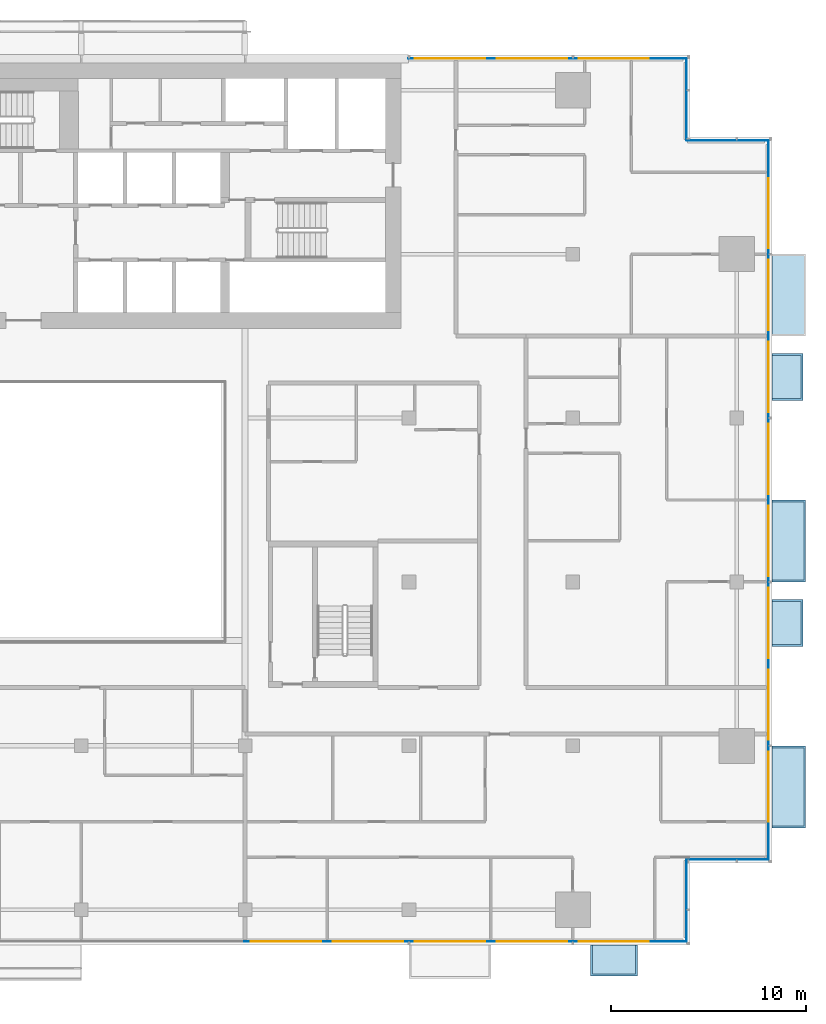
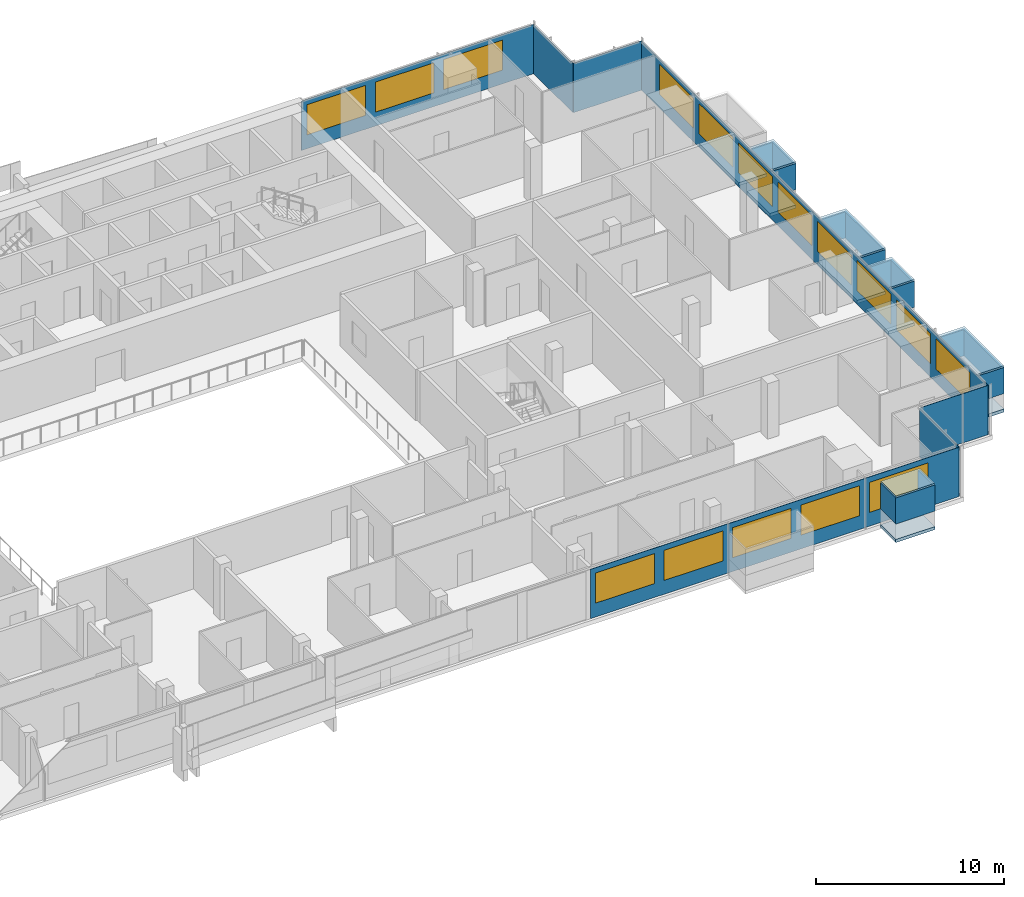
# One storey, part 16 of 28: 17 plates, 16 windows, 6 slabs, 16 openings, 7 elements without a shape of their own.
"""IFC4 building model written with IfcOpenShell, lengths in metres."""

from ifc_helpers import new_model, si_unit, direction, frame, frame_2d, origin, place, context, subcontext, project, spatial, polyline, rectangle, outline, extrude, material, layer, layer_set, type_object, element, fill, aggregate, save


model = new_model("IFC4")

# Units and contexts
model_context = context("Model", 3, precision=1e-05, world=origin(), true_north=direction((0.0, 1.0)))
body_context = subcontext(model_context, "Body", "Model", "MODEL_VIEW")
ifc_project = project(units=[si_unit("LENGTHUNIT", "METRE"), si_unit("AREAUNIT", "SQUARE_METRE"), si_unit("VOLUMEUNIT", "CUBIC_METRE"), si_unit("PLANEANGLEUNIT", "RADIAN"), si_unit("MASSUNIT", "GRAM", prefix="KILO")], contexts=[model_context])

# Site, building, storey
site_placement = place(None, origin())
site = spatial("IfcSite", under=ifc_project, at=site_placement, CompositionType="ELEMENT")
building_placement = place(site_placement, origin())
building = spatial("IfcBuilding", under=site, at=building_placement, Name="Saffron Gate Tower", CompositionType="ELEMENT")
storey_placement = place(building_placement, frame((0.0, 0.0, 151.050048828125)))
storey = spatial("IfcBuildingStorey", under=building, at=storey_placement, Name="L36", CompositionType="ELEMENT", Elevation=151.050048828125)

# Curtain wall, plate, openings, windows
ifc_material_1 = material(Name="Aluminium, bronze anodised", Category="aluminium")
curtain_wall_type_1 = type_object("IfcCurtainWallType", Name="CWS1 curtain wall front facade", PredefinedType="NOTDEFINED", material=ifc_material_1)
curtain_wall_1_placement = place(storey_placement, origin())
curtain_wall_1 = element("IfcCurtainWall", 1, at=curtain_wall_1_placement, inside=storey, type_object=curtain_wall_type_1, Name="CWS1 run 1", PredefinedType="NOTDEFINED")
ifc_material_2 = material(Name="Fritted bronze-tinted laminated glass", Category="glass")
ifc_layer_1 = layer(ifc_material_2, 0.028076171875)
ifc_layer_set_1 = layer_set([ifc_layer_1], Name="CWS1 fixed glass")
plate_type_1 = type_object("IfcPlateType", Name="CWS1 fixed glass", PredefinedType="CURTAIN_PANEL", material=ifc_layer_set_1)
plate_1_placement = place(storey_placement, frame((100.169921875, 30.174072265625, 0.0), z_axis=(0.0, 0.0, 1.0), x_axis=(1.0, 0.0, 0.0)))
plate_1 = element("IfcPlate", 2, at=plate_1_placement, type_object=plate_type_1, Name="CWS1 glass panel", PredefinedType="CURTAIN_PANEL", context=body_context, shape_type="SweptSolid", body=[
    extrude(rectangle(XDim=22.64208984375, YDim=0.028076171875, at=frame_2d((11.321044921875, 0.0))), origin(), (0.0, 0.0, 1.0), 3.199951171875),
])
opening_1_placement = place(plate_1_placement, frame((0.330078125, 0.0, 0.89990234375)))
opening_1 = element("IfcOpeningElement", 3, at=opening_1_placement, cuts=plate_1, Name="Opening W1", PredefinedType="OPENING", context=body_context, shape_type="SweptSolid", body=[
    extrude(rectangle(XDim=3.60009765625, YDim=1.949951171875, at=frame_2d((1.800048828125, 0.97509765625))), frame((0.0, 0.02392578125, 0.0), z_axis=(0.0, -1.0, 0.0), x_axis=(1.0, 0.0, 0.0)), (0.0, 0.0, 1.0), 0.048095703125),
])
opening_2_placement = place(plate_1_placement, frame((4.530029296875, 0.0, 0.89990234375)))
opening_2 = element("IfcOpeningElement", 4, at=opening_2_placement, cuts=plate_1, Name="Opening W1", PredefinedType="OPENING", context=body_context, shape_type="SweptSolid", body=[
    extrude(rectangle(XDim=3.60009765625, YDim=1.949951171875, at=frame_2d((1.800048828125, 0.97509765625))), frame((0.0, 0.02392578125, 0.0), z_axis=(0.0, -1.0, 0.0), x_axis=(1.0, 0.0, 0.0)), (0.0, 0.0, 1.0), 0.048095703125),
])
opening_3_placement = place(plate_1_placement, frame((8.72998046875, 0.0, 0.89990234375)))
opening_3 = element("IfcOpeningElement", 5, at=opening_3_placement, cuts=plate_1, Name="Opening W1", PredefinedType="OPENING", context=body_context, shape_type="SweptSolid", body=[
    extrude(rectangle(XDim=3.60009765625, YDim=1.949951171875, at=frame_2d((1.800048828125, 0.97509765625))), frame((0.0, 0.02392578125, 0.0), z_axis=(0.0, -1.0, 0.0), x_axis=(1.0, 0.0, 0.0)), (0.0, 0.0, 1.0), 0.048095703125),
])
opening_4_placement = place(plate_1_placement, frame((12.929931640625, 0.0, 0.89990234375)))
opening_4 = element("IfcOpeningElement", 6, at=opening_4_placement, cuts=plate_1, Name="Opening W1", PredefinedType="OPENING", context=body_context, shape_type="SweptSolid", body=[
    extrude(rectangle(XDim=3.60009765625, YDim=1.949951171875, at=frame_2d((1.800048828125, 0.97509765625))), frame((0.0, 0.02392578125, 0.0), z_axis=(0.0, -1.0, 0.0), x_axis=(1.0, 0.0, 0.0)), (0.0, 0.0, 1.0), 0.048095703125),
])
opening_5_placement = place(plate_1_placement, frame((17.1298828125, 0.0, 0.89990234375)))
opening_5 = element("IfcOpeningElement", 7, at=opening_5_placement, cuts=plate_1, Name="Opening W1", PredefinedType="OPENING", context=body_context, shape_type="SweptSolid", body=[
    extrude(rectangle(XDim=3.60009765625, YDim=1.949951171875, at=frame_2d((1.800048828125, 0.97509765625))), frame((0.0, 0.02392578125, 0.0), z_axis=(0.0, -1.0, 0.0), x_axis=(1.0, 0.0, 0.0)), (0.0, 0.0, 1.0), 0.048095703125),
])
ifc_material_3 = material(Name="Fritted bronze-tinted laminated glass in bronze frame", Category="glass")
ifc_layer_2 = layer(ifc_material_3, 0.06005859375)
ifc_layer_set_2 = layer_set([ifc_layer_2], Name="W1 operable panel 3600x1950")
window_type = type_object("IfcWindowType", Name="W1 operable panel 3600x1950", PartitioningType="DOUBLE_PANEL_HORIZONTAL", PredefinedType="WINDOW", material=ifc_layer_set_2)
window_1_placement = place(opening_1_placement, origin())
window_1 = element("IfcWindow", 8, at=window_1_placement, type_object=window_type, Name="W1 operable panel", OverallHeight=1.949951171875, OverallWidth=3.60009765625, PartitioningType="SINGLE_PANEL", PredefinedType="WINDOW", context=body_context, shape_type="SweptSolid", body=[
    extrude(rectangle(XDim=3.60009765625, YDim=1.949951171875, at=frame_2d((1.800048828125, 0.97509765625))), frame((0.0, 0.013671875, 0.0), z_axis=(0.0, -1.0, 0.0), x_axis=(1.0, 0.0, 0.0)), (0.0, 0.0, 1.0), 0.027587890625),
])
fill(opening_1, window_1)
window_2_placement = place(opening_2_placement, origin())
window_2 = element("IfcWindow", 9, at=window_2_placement, type_object=window_type, Name="W1 operable panel", OverallHeight=1.949951171875, OverallWidth=3.60009765625, PartitioningType="SINGLE_PANEL", PredefinedType="WINDOW", context=body_context, shape_type="SweptSolid", body=[
    extrude(rectangle(XDim=3.60009765625, YDim=1.949951171875, at=frame_2d((1.800048828125, 0.97509765625))), frame((0.0, 0.013671875, 0.0), z_axis=(0.0, -1.0, 0.0), x_axis=(1.0, 0.0, 0.0)), (0.0, 0.0, 1.0), 0.027587890625),
])
fill(opening_2, window_2)
window_3_placement = place(opening_3_placement, origin())
window_3 = element("IfcWindow", 10, at=window_3_placement, type_object=window_type, Name="W1 operable panel", OverallHeight=1.949951171875, OverallWidth=3.60009765625, PartitioningType="SINGLE_PANEL", PredefinedType="WINDOW", context=body_context, shape_type="SweptSolid", body=[
    extrude(rectangle(XDim=3.60009765625, YDim=1.949951171875, at=frame_2d((1.800048828125, 0.97509765625))), frame((0.0, 0.013671875, 0.0), z_axis=(0.0, -1.0, 0.0), x_axis=(1.0, 0.0, 0.0)), (0.0, 0.0, 1.0), 0.027587890625),
])
fill(opening_3, window_3)
window_4_placement = place(opening_4_placement, origin())
window_4 = element("IfcWindow", 11, at=window_4_placement, type_object=window_type, Name="W1 operable panel", OverallHeight=1.949951171875, OverallWidth=3.60009765625, PartitioningType="SINGLE_PANEL", PredefinedType="WINDOW", context=body_context, shape_type="SweptSolid", body=[
    extrude(rectangle(XDim=3.60009765625, YDim=1.949951171875, at=frame_2d((1.800048828125, 0.97509765625))), frame((0.0, 0.013671875, 0.0), z_axis=(0.0, -1.0, 0.0), x_axis=(1.0, 0.0, 0.0)), (0.0, 0.0, 1.0), 0.027587890625),
])
fill(opening_4, window_4)
window_5_placement = place(opening_5_placement, origin())
window_5 = element("IfcWindow", 12, at=window_5_placement, type_object=window_type, Name="W1 operable panel", OverallHeight=1.949951171875, OverallWidth=3.60009765625, PartitioningType="SINGLE_PANEL", PredefinedType="WINDOW", context=body_context, shape_type="SweptSolid", body=[
    extrude(rectangle(XDim=3.60009765625, YDim=1.949951171875, at=frame_2d((1.800048828125, 0.97509765625))), frame((0.0, 0.013671875, 0.0), z_axis=(0.0, -1.0, 0.0), x_axis=(1.0, 0.0, 0.0)), (0.0, 0.0, 1.0), 0.027587890625),
])
fill(opening_5, window_5)
aggregate(curtain_wall_1, [plate_1, window_1, window_2, window_3, window_4, window_5])

curtain_wall_type_2 = type_object("IfcCurtainWallType", Name="CWS2 curtain wall side facades", PredefinedType="NOTDEFINED", material=ifc_material_1)
curtain_wall_2_placement = place(storey_placement, origin())
curtain_wall_2 = element("IfcCurtainWall", 13, at=curtain_wall_2_placement, inside=storey, type_object=curtain_wall_type_2, Name="CWS2 run 4", PredefinedType="NOTDEFINED")
ifc_layer_3 = layer(ifc_material_2, 0.028076171875)
ifc_layer_set_3 = layer_set([ifc_layer_3], Name="CWS2 fixed glass")
plate_type_2 = type_object("IfcPlateType", Name="CWS2 fixed glass", PredefinedType="CURTAIN_PANEL", material=ifc_layer_set_3)
plate_2_placement = place(storey_placement, frame((127.02587890625, 34.387939453125, 0.0), z_axis=(0.0, 0.0, 1.0), x_axis=(0.0, 1.0, 0.0)))
plate_2 = element("IfcPlate", 14, at=plate_2_placement, type_object=plate_type_2, Name="CWS2 glass panel", PredefinedType="CURTAIN_PANEL", context=body_context, shape_type="SweptSolid", body=[
    extrude(rectangle(XDim=36.823974609375, YDim=0.028076171875, at=frame_2d((18.412109375, 0.0))), origin(), (0.0, 0.0, 1.0), 3.199951171875),
])
opening_6_placement = place(plate_2_placement, frame((1.912109375, 0.0, 0.89990234375)))
opening_6 = element("IfcOpeningElement", 15, at=opening_6_placement, cuts=plate_2, Name="Opening W1", PredefinedType="OPENING", context=body_context, shape_type="SweptSolid", body=[
    extrude(rectangle(XDim=3.60009765625, YDim=1.949951171875, at=frame_2d((1.800048828125, 0.97509765625))), frame((0.0, 0.02392578125, 0.0), z_axis=(0.0, -1.0, 0.0), x_axis=(1.0, 0.0, 0.0)), (0.0, 0.0, 1.0), 0.048095703125),
])
opening_7_placement = place(plate_2_placement, frame((6.112060546875, 0.0, 0.89990234375)))
opening_7 = element("IfcOpeningElement", 16, at=opening_7_placement, cuts=plate_2, Name="Opening W1", PredefinedType="OPENING", context=body_context, shape_type="SweptSolid", body=[
    extrude(rectangle(XDim=3.60009765625, YDim=1.949951171875, at=frame_2d((1.800048828125, 0.97509765625))), frame((0.0, 0.02392578125, 0.0), z_axis=(0.0, -1.0, 0.0), x_axis=(1.0, 0.0, 0.0)), (0.0, 0.0, 1.0), 0.048095703125),
])
opening_8_placement = place(plate_2_placement, frame((10.31201171875, 0.0, 0.89990234375)))
opening_8 = element("IfcOpeningElement", 17, at=opening_8_placement, cuts=plate_2, Name="Opening W1", PredefinedType="OPENING", context=body_context, shape_type="SweptSolid", body=[
    extrude(rectangle(XDim=3.60009765625, YDim=1.949951171875, at=frame_2d((1.800048828125, 0.97509765625))), frame((0.0, 0.02392578125, 0.0), z_axis=(0.0, -1.0, 0.0), x_axis=(1.0, 0.0, 0.0)), (0.0, 0.0, 1.0), 0.048095703125),
])
opening_9_placement = place(plate_2_placement, frame((14.511962890625, 0.0, 0.89990234375)))
opening_9 = element("IfcOpeningElement", 18, at=opening_9_placement, cuts=plate_2, Name="Opening W1", PredefinedType="OPENING", context=body_context, shape_type="SweptSolid", body=[
    extrude(rectangle(XDim=3.60009765625, YDim=1.949951171875, at=frame_2d((1.800048828125, 0.97509765625))), frame((0.0, 0.02392578125, 0.0), z_axis=(0.0, -1.0, 0.0), x_axis=(1.0, 0.0, 0.0)), (0.0, 0.0, 1.0), 0.048095703125),
])
opening_10_placement = place(plate_2_placement, frame((18.7119140625, 0.0, 0.89990234375)))
opening_10 = element("IfcOpeningElement", 19, at=opening_10_placement, cuts=plate_2, Name="Opening W1", PredefinedType="OPENING", context=body_context, shape_type="SweptSolid", body=[
    extrude(rectangle(XDim=3.60009765625, YDim=1.949951171875, at=frame_2d((1.800048828125, 0.97509765625))), frame((0.0, 0.02392578125, 0.0), z_axis=(0.0, -1.0, 0.0), x_axis=(1.0, 0.0, 0.0)), (0.0, 0.0, 1.0), 0.048095703125),
])
opening_11_placement = place(plate_2_placement, frame((22.912109375, 0.0, 0.89990234375)))
opening_11 = element("IfcOpeningElement", 20, at=opening_11_placement, cuts=plate_2, Name="Opening W1", PredefinedType="OPENING", context=body_context, shape_type="SweptSolid", body=[
    extrude(rectangle(XDim=3.60009765625, YDim=1.949951171875, at=frame_2d((1.800048828125, 0.97509765625))), frame((0.0, 0.02392578125, 0.0), z_axis=(0.0, -1.0, 0.0), x_axis=(1.0, 0.0, 0.0)), (0.0, 0.0, 1.0), 0.048095703125),
])
opening_12_placement = place(plate_2_placement, frame((27.112060546875, 0.0, 0.89990234375)))
opening_12 = element("IfcOpeningElement", 21, at=opening_12_placement, cuts=plate_2, Name="Opening W1", PredefinedType="OPENING", context=body_context, shape_type="SweptSolid", body=[
    extrude(rectangle(XDim=3.60009765625, YDim=1.949951171875, at=frame_2d((1.800048828125, 0.97509765625))), frame((0.0, 0.02392578125, 0.0), z_axis=(0.0, -1.0, 0.0), x_axis=(1.0, 0.0, 0.0)), (0.0, 0.0, 1.0), 0.048095703125),
])
opening_13_placement = place(plate_2_placement, frame((31.31201171875, 0.0, 0.89990234375)))
opening_13 = element("IfcOpeningElement", 22, at=opening_13_placement, cuts=plate_2, Name="Opening W1", PredefinedType="OPENING", context=body_context, shape_type="SweptSolid", body=[
    extrude(rectangle(XDim=3.60009765625, YDim=1.949951171875, at=frame_2d((1.800048828125, 0.97509765625))), frame((0.0, 0.02392578125, 0.0), z_axis=(0.0, -1.0, 0.0), x_axis=(1.0, 0.0, 0.0)), (0.0, 0.0, 1.0), 0.048095703125),
])
window_6_placement = place(opening_6_placement, origin())
window_6 = element("IfcWindow", 23, at=window_6_placement, type_object=window_type, Name="W1 operable panel", OverallHeight=1.949951171875, OverallWidth=3.60009765625, PartitioningType="SINGLE_PANEL", PredefinedType="WINDOW", context=body_context, shape_type="SweptSolid", body=[
    extrude(rectangle(XDim=3.60009765625, YDim=1.949951171875, at=frame_2d((1.800048828125, 0.97509765625))), frame((0.0, 0.013671875, 0.0), z_axis=(0.0, -1.0, 0.0), x_axis=(1.0, 0.0, 0.0)), (0.0, 0.0, 1.0), 0.027587890625),
])
fill(opening_6, window_6)
window_7_placement = place(opening_7_placement, origin())
window_7 = element("IfcWindow", 24, at=window_7_placement, type_object=window_type, Name="W1 operable panel", OverallHeight=1.949951171875, OverallWidth=3.60009765625, PartitioningType="SINGLE_PANEL", PredefinedType="WINDOW", context=body_context, shape_type="SweptSolid", body=[
    extrude(rectangle(XDim=3.60009765625, YDim=1.949951171875, at=frame_2d((1.800048828125, 0.97509765625))), frame((0.0, 0.013671875, 0.0), z_axis=(0.0, -1.0, 0.0), x_axis=(1.0, 0.0, 0.0)), (0.0, 0.0, 1.0), 0.027587890625),
])
fill(opening_7, window_7)
window_8_placement = place(opening_8_placement, origin())
window_8 = element("IfcWindow", 25, at=window_8_placement, type_object=window_type, Name="W1 operable panel", OverallHeight=1.949951171875, OverallWidth=3.60009765625, PartitioningType="SINGLE_PANEL", PredefinedType="WINDOW", context=body_context, shape_type="SweptSolid", body=[
    extrude(rectangle(XDim=3.60009765625, YDim=1.949951171875, at=frame_2d((1.800048828125, 0.97509765625))), frame((0.0, 0.013671875, 0.0), z_axis=(0.0, -1.0, 0.0), x_axis=(1.0, 0.0, 0.0)), (0.0, 0.0, 1.0), 0.027587890625),
])
fill(opening_8, window_8)
window_9_placement = place(opening_9_placement, origin())
window_9 = element("IfcWindow", 26, at=window_9_placement, type_object=window_type, Name="W1 operable panel", OverallHeight=1.949951171875, OverallWidth=3.60009765625, PartitioningType="SINGLE_PANEL", PredefinedType="WINDOW", context=body_context, shape_type="SweptSolid", body=[
    extrude(rectangle(XDim=3.60009765625, YDim=1.949951171875, at=frame_2d((1.800048828125, 0.97509765625))), frame((0.0, 0.013671875, 0.0), z_axis=(0.0, -1.0, 0.0), x_axis=(1.0, 0.0, 0.0)), (0.0, 0.0, 1.0), 0.027587890625),
])
fill(opening_9, window_9)
window_10_placement = place(opening_10_placement, origin())
window_10 = element("IfcWindow", 27, at=window_10_placement, type_object=window_type, Name="W1 operable panel", OverallHeight=1.949951171875, OverallWidth=3.60009765625, PartitioningType="SINGLE_PANEL", PredefinedType="WINDOW", context=body_context, shape_type="SweptSolid", body=[
    extrude(rectangle(XDim=3.60009765625, YDim=1.949951171875, at=frame_2d((1.800048828125, 0.97509765625))), frame((0.0, 0.013671875, 0.0), z_axis=(0.0, -1.0, 0.0), x_axis=(1.0, 0.0, 0.0)), (0.0, 0.0, 1.0), 0.027587890625),
])
fill(opening_10, window_10)
window_11_placement = place(opening_11_placement, origin())
window_11 = element("IfcWindow", 28, at=window_11_placement, type_object=window_type, Name="W1 operable panel", OverallHeight=1.949951171875, OverallWidth=3.60009765625, PartitioningType="SINGLE_PANEL", PredefinedType="WINDOW", context=body_context, shape_type="SweptSolid", body=[
    extrude(rectangle(XDim=3.60009765625, YDim=1.949951171875, at=frame_2d((1.800048828125, 0.97509765625))), frame((0.0, 0.013671875, 0.0), z_axis=(0.0, -1.0, 0.0), x_axis=(1.0, 0.0, 0.0)), (0.0, 0.0, 1.0), 0.027587890625),
])
fill(opening_11, window_11)
window_12_placement = place(opening_12_placement, origin())
window_12 = element("IfcWindow", 29, at=window_12_placement, type_object=window_type, Name="W1 operable panel", OverallHeight=1.949951171875, OverallWidth=3.60009765625, PartitioningType="SINGLE_PANEL", PredefinedType="WINDOW", context=body_context, shape_type="SweptSolid", body=[
    extrude(rectangle(XDim=3.60009765625, YDim=1.949951171875, at=frame_2d((1.800048828125, 0.97509765625))), frame((0.0, 0.013671875, 0.0), z_axis=(0.0, -1.0, 0.0), x_axis=(1.0, 0.0, 0.0)), (0.0, 0.0, 1.0), 0.027587890625),
])
fill(opening_12, window_12)
window_13_placement = place(opening_13_placement, origin())
window_13 = element("IfcWindow", 30, at=window_13_placement, type_object=window_type, Name="W1 operable panel", OverallHeight=1.949951171875, OverallWidth=3.60009765625, PartitioningType="SINGLE_PANEL", PredefinedType="WINDOW", context=body_context, shape_type="SweptSolid", body=[
    extrude(rectangle(XDim=3.60009765625, YDim=1.949951171875, at=frame_2d((1.800048828125, 0.97509765625))), frame((0.0, 0.013671875, 0.0), z_axis=(0.0, -1.0, 0.0), x_axis=(1.0, 0.0, 0.0)), (0.0, 0.0, 1.0), 0.027587890625),
])
fill(opening_13, window_13)
aggregate(curtain_wall_2, [plate_2, window_6, window_7, window_8, window_9, window_10, window_11, window_12, window_13])

curtain_wall_type_3 = type_object("IfcCurtainWallType", Name="CWS3 curtain wall rear facade", PredefinedType="NOTDEFINED", material=ifc_material_1)
curtain_wall_3_placement = place(storey_placement, origin())
curtain_wall_3 = element("IfcCurtainWall", 31, at=curtain_wall_3_placement, inside=storey, type_object=curtain_wall_type_3, Name="CWS3 run 7", PredefinedType="NOTDEFINED")
ifc_material_4 = material(Name="Fritted grey-tinted laminated glass", Category="glass")
ifc_layer_4 = layer(ifc_material_4, 0.028076171875)
ifc_layer_set_4 = layer_set([ifc_layer_4], Name="CWS3 fixed glass")
plate_type_3 = type_object("IfcPlateType", Name="CWS3 fixed glass", PredefinedType="CURTAIN_PANEL", material=ifc_layer_set_4)
plate_3_placement = place(storey_placement, frame((122.81201171875, 75.426025390625, 0.0), z_axis=(0.0, 0.0, 1.0), x_axis=(-1.0, 0.0, 0.0)))
plate_3 = element("IfcPlate", 32, at=plate_3_placement, type_object=plate_type_3, Name="CWS3 glass panel", PredefinedType="CURTAIN_PANEL", context=body_context, shape_type="SweptSolid", body=[
    extrude(rectangle(XDim=14.2470703125, YDim=0.028076171875, at=frame_2d((7.12353515625, 0.0))), origin(), (0.0, 0.0, 1.0), 3.199951171875),
])
opening_14_placement = place(plate_3_placement, frame((1.912109375, 0.0, 0.89990234375)))
opening_14 = element("IfcOpeningElement", 33, at=opening_14_placement, cuts=plate_3, Name="Opening W1", PredefinedType="OPENING", context=body_context, shape_type="SweptSolid", body=[
    extrude(rectangle(XDim=3.60009765625, YDim=1.949951171875, at=frame_2d((1.800048828125, 0.97509765625))), frame((0.0, 0.02392578125, 0.0), z_axis=(0.0, -1.0, 0.0), x_axis=(1.0, 0.0, 0.0)), (0.0, 0.0, 1.0), 0.048095703125),
])
opening_15_placement = place(plate_3_placement, frame((6.112060546875, 0.0, 0.89990234375)))
opening_15 = element("IfcOpeningElement", 34, at=opening_15_placement, cuts=plate_3, Name="Opening W1", PredefinedType="OPENING", context=body_context, shape_type="SweptSolid", body=[
    extrude(rectangle(XDim=3.60009765625, YDim=1.949951171875, at=frame_2d((1.800048828125, 0.97509765625))), frame((0.0, 0.02392578125, 0.0), z_axis=(0.0, -1.0, 0.0), x_axis=(1.0, 0.0, 0.0)), (0.0, 0.0, 1.0), 0.048095703125),
])
opening_16_placement = place(plate_3_placement, frame((10.31201171875, 0.0, 0.89990234375)))
opening_16 = element("IfcOpeningElement", 35, at=opening_16_placement, cuts=plate_3, Name="Opening W1", PredefinedType="OPENING", context=body_context, shape_type="SweptSolid", body=[
    extrude(rectangle(XDim=3.60009765625, YDim=1.949951171875, at=frame_2d((1.800048828125, 0.97509765625))), frame((0.0, 0.02392578125, 0.0), z_axis=(0.0, -1.0, 0.0), x_axis=(1.0, 0.0, 0.0)), (0.0, 0.0, 1.0), 0.048095703125),
])
window_14_placement = place(opening_14_placement, origin())
window_14 = element("IfcWindow", 36, at=window_14_placement, type_object=window_type, Name="W1 operable panel", OverallHeight=1.949951171875, OverallWidth=3.60009765625, PartitioningType="SINGLE_PANEL", PredefinedType="WINDOW", context=body_context, shape_type="SweptSolid", body=[
    extrude(rectangle(XDim=3.60009765625, YDim=1.949951171875, at=frame_2d((1.800048828125, 0.97509765625))), frame((0.0, 0.013671875, 0.0), z_axis=(0.0, -1.0, 0.0), x_axis=(1.0, 0.0, 0.0)), (0.0, 0.0, 1.0), 0.027587890625),
])
fill(opening_14, window_14)
window_15_placement = place(opening_15_placement, origin())
window_15 = element("IfcWindow", 37, at=window_15_placement, type_object=window_type, Name="W1 operable panel", OverallHeight=1.949951171875, OverallWidth=3.60009765625, PartitioningType="SINGLE_PANEL", PredefinedType="WINDOW", context=body_context, shape_type="SweptSolid", body=[
    extrude(rectangle(XDim=3.60009765625, YDim=1.949951171875, at=frame_2d((1.800048828125, 0.97509765625))), frame((0.0, 0.013671875, 0.0), z_axis=(0.0, -1.0, 0.0), x_axis=(1.0, 0.0, 0.0)), (0.0, 0.0, 1.0), 0.027587890625),
])
fill(opening_15, window_15)
window_16_placement = place(opening_16_placement, origin())
window_16 = element("IfcWindow", 38, at=window_16_placement, type_object=window_type, Name="W1 operable panel", OverallHeight=1.949951171875, OverallWidth=3.60009765625, PartitioningType="SINGLE_PANEL", PredefinedType="WINDOW", context=body_context, shape_type="SweptSolid", body=[
    extrude(rectangle(XDim=3.60009765625, YDim=1.949951171875, at=frame_2d((1.800048828125, 0.97509765625))), frame((0.0, 0.013671875, 0.0), z_axis=(0.0, -1.0, 0.0), x_axis=(1.0, 0.0, 0.0)), (0.0, 0.0, 1.0), 0.027587890625),
])
fill(opening_16, window_16)
aggregate(curtain_wall_3, [plate_3, window_14, window_15, window_16])

# Curtain wall, plate
curtain_wall_type_4 = type_object("IfcCurtainWallType", Name="CWS4 curtain wall corner returns", PredefinedType="NOTDEFINED", material=ifc_material_1)
curtain_wall_4_placement = place(storey_placement, origin())
curtain_wall_4 = element("IfcCurtainWall", 39, at=curtain_wall_4_placement, inside=storey, type_object=curtain_wall_type_4, Name="CWS4 run 2", PredefinedType="NOTDEFINED")
ifc_layer_5 = layer(ifc_material_2, 0.028076171875)
ifc_layer_set_5 = layer_set([ifc_layer_5], Name="CWS4 fixed glass")
plate_type_4 = type_object("IfcPlateType", Name="CWS4 fixed glass", PredefinedType="CURTAIN_PANEL", material=ifc_layer_set_5)
plate_4_placement = place(storey_placement, frame((122.825927734375, 30.18798828125, 0.0), z_axis=(0.0, 0.0, 1.0), x_axis=(0.0, 1.0, 0.0)))
plate_4 = element("IfcPlate", 40, at=plate_4_placement, type_object=plate_type_4, Name="CWS4 glass panel", PredefinedType="CURTAIN_PANEL", context=body_context, shape_type="SweptSolid", body=[
    extrude(rectangle(XDim=4.172119140625, YDim=0.028076171875, at=frame_2d((2.0859375, 0.0))), origin(), (0.0, 0.0, 1.0), 3.199951171875),
])
aggregate(curtain_wall_4, [plate_4])

curtain_wall_5_placement = place(storey_placement, origin())
curtain_wall_5 = element("IfcCurtainWall", 41, at=curtain_wall_5_placement, inside=storey, type_object=curtain_wall_type_4, Name="CWS4 run 3", PredefinedType="NOTDEFINED")
plate_5_placement = place(storey_placement, frame((122.840087890625, 34.3740234375, 0.0), z_axis=(0.0, 0.0, 1.0), x_axis=(1.0, 0.0, 0.0)))
plate_5 = element("IfcPlate", 42, at=plate_5_placement, type_object=plate_type_4, Name="CWS4 glass panel", PredefinedType="CURTAIN_PANEL", context=body_context, shape_type="SweptSolid", body=[
    extrude(rectangle(XDim=4.171875, YDim=0.028076171875, at=frame_2d((2.0859375, 0.0))), origin(), (0.0, 0.0, 1.0), 3.199951171875),
])
aggregate(curtain_wall_5, [plate_5])

curtain_wall_6_placement = place(storey_placement, origin())
curtain_wall_6 = element("IfcCurtainWall", 43, at=curtain_wall_6_placement, inside=storey, type_object=curtain_wall_type_4, Name="CWS4 run 5", PredefinedType="NOTDEFINED")
plate_6_placement = place(storey_placement, frame((127.011962890625, 71.22607421875, 0.0), z_axis=(0.0, 0.0, 1.0), x_axis=(-1.0, 0.0, 0.0)))
plate_6 = element("IfcPlate", 44, at=plate_6_placement, type_object=plate_type_4, Name="CWS4 glass panel", PredefinedType="CURTAIN_PANEL", context=body_context, shape_type="SweptSolid", body=[
    extrude(rectangle(XDim=4.171875, YDim=0.028076171875, at=frame_2d((2.0859375, 0.0))), origin(), (0.0, 0.0, 1.0), 3.199951171875),
])
aggregate(curtain_wall_6, [plate_6])

curtain_wall_7_placement = place(storey_placement, origin())
curtain_wall_7 = element("IfcCurtainWall", 45, at=curtain_wall_7_placement, inside=storey, type_object=curtain_wall_type_4, Name="CWS4 run 6", PredefinedType="NOTDEFINED")
plate_7_placement = place(storey_placement, frame((122.825927734375, 71.239990234375, 0.0), z_axis=(0.0, 0.0, 1.0), x_axis=(0.0, 1.0, 0.0)))
plate_7 = element("IfcPlate", 46, at=plate_7_placement, type_object=plate_type_4, Name="CWS4 glass panel", PredefinedType="CURTAIN_PANEL", context=body_context, shape_type="SweptSolid", body=[
    extrude(rectangle(XDim=4.172119140625, YDim=0.028076171875, at=frame_2d((2.0859375, 0.0))), origin(), (0.0, 0.0, 1.0), 3.199951171875),
])
aggregate(curtain_wall_7, [plate_7])

# Slabs
ifc_material_5 = material(Name="Timber deck on bronze frame", Category="wood")
ifc_layer_6 = layer(ifc_material_5, 0.199951171875)
ifc_layer_set_6 = layer_set([ifc_layer_6], Name="WB1 box floor")
slab_type = type_object("IfcSlabType", Name="WB1 box floor", PredefinedType="FLOOR", material=ifc_layer_set_6)
slab_1_placement = place(storey_placement, frame((0.0, 0.0, -0.199951171875)))
element("IfcSlab", 47, at=slab_1_placement, inside=storey, type_object=slab_type, Name="WINDOW BOX floor", PredefinedType="FLOOR", context=body_context, shape_type="SweptSolid", body=[
    extrude(outline(polyline([(117.89990234375, 30.0), (120.300048828125, 30.0), (120.300048828125, 28.39990234375), (117.89990234375, 28.39990234375), (117.89990234375, 30.0)])), origin(), (0.0, 0.0, 1.0), 0.199951171875),
])
slab_2_placement = place(storey_placement, frame((0.0, 0.0, -0.199951171875)))
element("IfcSlab", 48, at=slab_2_placement, inside=storey, type_object=slab_type, Name="WINDOW BOX floor", PredefinedType="FLOOR", context=body_context, shape_type="SweptSolid", body=[
    extrude(outline(polyline([(127.199951171875, 36.0), (127.199951171875, 40.199951171875), (128.93310546875, 40.199951171875), (128.93310546875, 36.0), (127.199951171875, 36.0)])), origin(), (0.0, 0.0, 1.0), 0.199951171875),
])
slab_3_placement = place(storey_placement, frame((0.0, 0.0, -0.199951171875)))
element("IfcSlab", 49, at=slab_3_placement, inside=storey, type_object=slab_type, Name="WINDOW BOX floor", PredefinedType="FLOOR", context=body_context, shape_type="SweptSolid", body=[
    extrude(outline(polyline([(127.199951171875, 45.300048828125), (127.199951171875, 47.699951171875), (128.800048828125, 47.699951171875), (128.800048828125, 45.300048828125), (127.199951171875, 45.300048828125)])), origin(), (0.0, 0.0, 1.0), 0.199951171875),
])
slab_4_placement = place(storey_placement, frame((0.0, 0.0, -0.199951171875)))
element("IfcSlab", 50, at=slab_4_placement, inside=storey, type_object=slab_type, Name="WINDOW BOX floor", PredefinedType="FLOOR", context=body_context, shape_type="SweptSolid", body=[
    extrude(outline(polyline([(127.199951171875, 48.60009765625), (127.199951171875, 52.800048828125), (128.93310546875, 52.800048828125), (128.93310546875, 48.60009765625), (127.199951171875, 48.60009765625)])), origin(), (0.0, 0.0, 1.0), 0.199951171875),
])
slab_5_placement = place(storey_placement, frame((0.0, 0.0, -0.199951171875)))
element("IfcSlab", 51, at=slab_5_placement, inside=storey, type_object=slab_type, Name="WINDOW BOX floor", PredefinedType="FLOOR", context=body_context, shape_type="SweptSolid", body=[
    extrude(outline(polyline([(127.199951171875, 57.89990234375), (127.199951171875, 60.300048828125), (128.800048828125, 60.300048828125), (128.800048828125, 57.89990234375), (127.199951171875, 57.89990234375)])), origin(), (0.0, 0.0, 1.0), 0.199951171875),
])
slab_6_placement = place(storey_placement, frame((0.0, 0.0, -0.199951171875)))
element("IfcSlab", 52, at=slab_6_placement, inside=storey, type_object=slab_type, Name="WINDOW BOX floor", PredefinedType="FLOOR", context=body_context, shape_type="SweptSolid", body=[
    extrude(outline(polyline([(127.199951171875, 61.199951171875), (127.199951171875, 65.39990234375), (128.93310546875, 65.39990234375), (128.93310546875, 61.199951171875), (127.199951171875, 61.199951171875)])), origin(), (0.0, 0.0, 1.0), 0.199951171875),
])

# Plates
ifc_layer_7 = layer(ifc_material_1, 0.1201171875)
ifc_layer_set_7 = layer_set([ifc_layer_7], Name="WB2 box roof")
plate_type_5 = type_object("IfcPlateType", Name="WB2 box roof", PredefinedType="SHEET", material=ifc_layer_set_7)
plate_8_placement = place(storey_placement, frame((0.0, 0.0, 2.699951171875)))
element("IfcPlate", 53, at=plate_8_placement, inside=storey, type_object=plate_type_5, Name="WINDOW BOX roof", PredefinedType="SHEET", context=body_context, shape_type="SweptSolid", body=[
    extrude(outline(polyline([(117.89990234375, 30.0), (120.300048828125, 30.0), (120.300048828125, 28.39990234375), (117.89990234375, 28.39990234375), (117.89990234375, 30.0)])), origin(), (0.0, 0.0, 1.0), 0.1201171875),
])
plate_9_placement = place(storey_placement, frame((0.0, 0.0, 2.699951171875)))
element("IfcPlate", 54, at=plate_9_placement, inside=storey, type_object=plate_type_5, Name="WINDOW BOX roof", PredefinedType="SHEET", context=body_context, shape_type="SweptSolid", body=[
    extrude(outline(polyline([(127.199951171875, 36.0), (127.199951171875, 40.199951171875), (128.93310546875, 40.199951171875), (128.93310546875, 36.0), (127.199951171875, 36.0)])), origin(), (0.0, 0.0, 1.0), 0.1201171875),
])
plate_10_placement = place(storey_placement, frame((0.0, 0.0, 2.699951171875)))
element("IfcPlate", 55, at=plate_10_placement, inside=storey, type_object=plate_type_5, Name="WINDOW BOX roof", PredefinedType="SHEET", context=body_context, shape_type="SweptSolid", body=[
    extrude(outline(polyline([(127.199951171875, 45.300048828125), (127.199951171875, 47.699951171875), (128.800048828125, 47.699951171875), (128.800048828125, 45.300048828125), (127.199951171875, 45.300048828125)])), origin(), (0.0, 0.0, 1.0), 0.1201171875),
])
plate_11_placement = place(storey_placement, frame((0.0, 0.0, 2.699951171875)))
element("IfcPlate", 56, at=plate_11_placement, inside=storey, type_object=plate_type_5, Name="WINDOW BOX roof", PredefinedType="SHEET", context=body_context, shape_type="SweptSolid", body=[
    extrude(outline(polyline([(127.199951171875, 48.60009765625), (127.199951171875, 52.800048828125), (128.93310546875, 52.800048828125), (128.93310546875, 48.60009765625), (127.199951171875, 48.60009765625)])), origin(), (0.0, 0.0, 1.0), 0.1201171875),
])
plate_12_placement = place(storey_placement, frame((0.0, 0.0, 2.699951171875)))
element("IfcPlate", 57, at=plate_12_placement, inside=storey, type_object=plate_type_5, Name="WINDOW BOX roof", PredefinedType="SHEET", context=body_context, shape_type="SweptSolid", body=[
    extrude(outline(polyline([(127.199951171875, 57.89990234375), (127.199951171875, 60.300048828125), (128.800048828125, 60.300048828125), (128.800048828125, 57.89990234375), (127.199951171875, 57.89990234375)])), origin(), (0.0, 0.0, 1.0), 0.1201171875),
])
ifc_material_6 = material(Name="Clear low-iron laminated glass", Category="glass")
ifc_layer_8 = layer(ifc_material_6, 0.10009765625)
ifc_layer_set_8 = layer_set([ifc_layer_8], Name="WB6 box glazing")
plate_type_6 = type_object("IfcPlateType", Name="WB6 box glazing", PredefinedType="SHEET", material=ifc_layer_set_8)
plate_13_placement = place(storey_placement, frame((0.0, 0.0, 1.0)))
element("IfcPlate", 58, at=plate_13_placement, inside=storey, type_object=plate_type_6, Name="WINDOW BOX glazing", PredefinedType="SHEET", context=body_context, shape_type="SweptSolid", body=[
    extrude(outline(polyline([(117.89990234375, 30.0), (118.0, 30.0), (118.0, 28.5), (120.199951171875, 28.5), (120.199951171875, 30.0), (120.300048828125, 30.0), (120.300048828125, 28.39990234375), (117.89990234375, 28.39990234375), (117.89990234375, 30.0)])), origin(), (0.0, 0.0, 1.0), 1.699951171875),
])
plate_14_placement = place(storey_placement, frame((0.0, 0.0, 1.0)))
element("IfcPlate", 59, at=plate_14_placement, inside=storey, type_object=plate_type_6, Name="WINDOW BOX glazing", PredefinedType="SHEET", context=body_context, shape_type="SweptSolid", body=[
    extrude(outline(polyline([(127.199951171875, 36.0), (127.199951171875, 36.10009765625), (128.8330078125, 36.10009765625), (128.8330078125, 40.10009765625), (127.199951171875, 40.10009765625), (127.199951171875, 40.199951171875), (128.93310546875, 40.199951171875), (128.93310546875, 36.0), (127.199951171875, 36.0)])), origin(), (0.0, 0.0, 1.0), 1.699951171875),
])
plate_15_placement = place(storey_placement, frame((0.0, 0.0, 1.0)))
element("IfcPlate", 60, at=plate_15_placement, inside=storey, type_object=plate_type_6, Name="WINDOW BOX glazing", PredefinedType="SHEET", context=body_context, shape_type="SweptSolid", body=[
    extrude(outline(polyline([(127.199951171875, 45.300048828125), (127.199951171875, 45.39990234375), (128.699951171875, 45.39990234375), (128.699951171875, 47.60009765625), (127.199951171875, 47.60009765625), (127.199951171875, 47.699951171875), (128.800048828125, 47.699951171875), (128.800048828125, 45.300048828125), (127.199951171875, 45.300048828125)])), origin(), (0.0, 0.0, 1.0), 1.699951171875),
])
plate_16_placement = place(storey_placement, frame((0.0, 0.0, 1.0)))
element("IfcPlate", 61, at=plate_16_placement, inside=storey, type_object=plate_type_6, Name="WINDOW BOX glazing", PredefinedType="SHEET", context=body_context, shape_type="SweptSolid", body=[
    extrude(outline(polyline([(127.199951171875, 48.60009765625), (127.199951171875, 48.699951171875), (128.8330078125, 48.699951171875), (128.8330078125, 52.699951171875), (127.199951171875, 52.699951171875), (127.199951171875, 52.800048828125), (128.93310546875, 52.800048828125), (128.93310546875, 48.60009765625), (127.199951171875, 48.60009765625)])), origin(), (0.0, 0.0, 1.0), 1.699951171875),
])
plate_17_placement = place(storey_placement, frame((0.0, 0.0, 1.0)))
element("IfcPlate", 62, at=plate_17_placement, inside=storey, type_object=plate_type_6, Name="WINDOW BOX glazing", PredefinedType="SHEET", context=body_context, shape_type="SweptSolid", body=[
    extrude(outline(polyline([(127.199951171875, 57.89990234375), (127.199951171875, 58.0), (128.699951171875, 58.0), (128.699951171875, 60.199951171875), (127.199951171875, 60.199951171875), (127.199951171875, 60.300048828125), (128.800048828125, 60.300048828125), (128.800048828125, 57.89990234375), (127.199951171875, 57.89990234375)])), origin(), (0.0, 0.0, 1.0), 1.699951171875),
])

save(model, "model.ifc")
